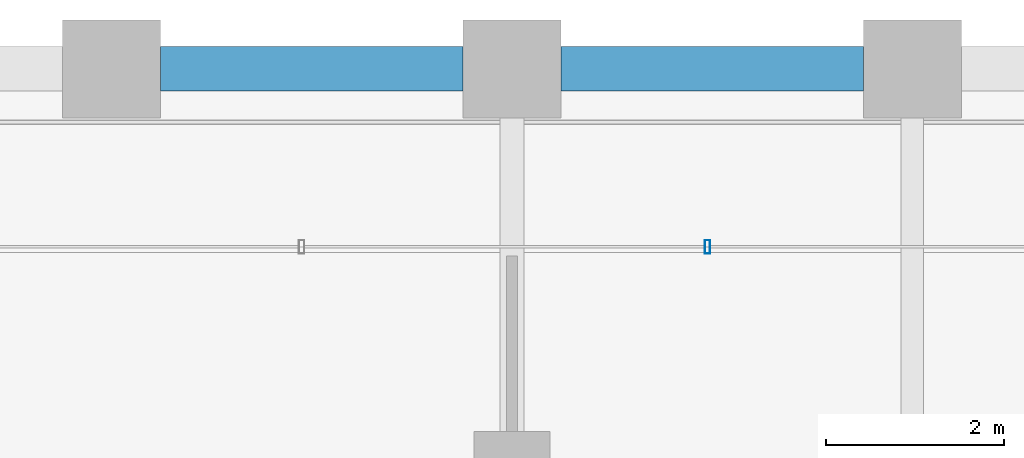
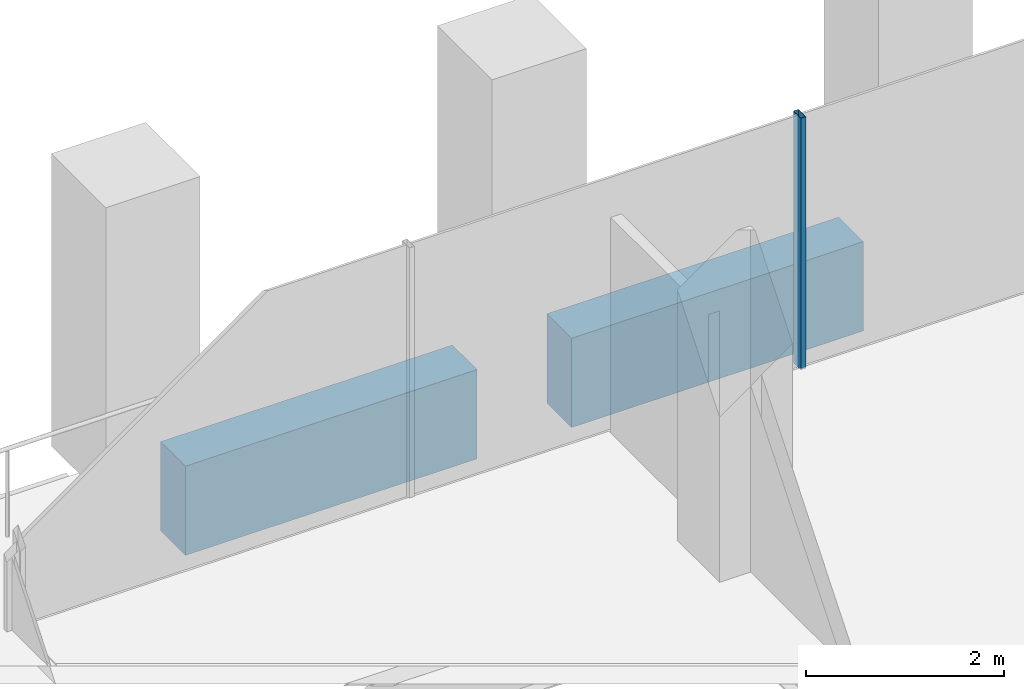
# One storey, part 27 of 54: 2 beams, 1 member, 1 element without a shape of its own.
"""IFC4 building model written with IfcOpenShell, lengths in metres."""

from ifc_helpers import new_model, si_unit, direction, frame, origin, origin_2d, place, context, subcontext, project, spatial, rectangle, hollow_rectangle, extrude, material, material_profile, profile_set, type_object, element, aggregate, save


model = new_model("IFC4")

# Units and contexts
model_context = context("Model", 3, precision=1e-05, world=origin(), true_north=direction((0.0, 1.0)))
body_context = subcontext(model_context, "Body", "Model", "MODEL_VIEW")
ifc_project = project(units=[si_unit("LENGTHUNIT", "METRE"), si_unit("AREAUNIT", "SQUARE_METRE"), si_unit("VOLUMEUNIT", "CUBIC_METRE"), si_unit("PLANEANGLEUNIT", "RADIAN"), si_unit("MASSUNIT", "GRAM", prefix="KILO")], contexts=[model_context])

# Site, building, storey
site_placement = place(None, origin())
site = spatial("IfcSite", under=ifc_project, at=site_placement, CompositionType="ELEMENT")
building_placement = place(site_placement, origin())
building = spatial("IfcBuilding", under=site, at=building_placement, Name="Altepetl Exchange Towers", CompositionType="ELEMENT")
storey_placement = place(building_placement, frame((0.0, 0.0, 65.39990234375)))
storey = spatial("IfcBuildingStorey", under=building, at=storey_placement, Name="L15", CompositionType="ELEMENT", Elevation=65.39990234375)

# Curtain wall, member
ifc_material_1 = material(Name="Aluminium 6063-T6 glazing", Category="aluminium")
curtain_wall_type = type_object("IfcCurtainWallType", Name="Loggia glazing system", PredefinedType="NOTDEFINED", material=ifc_material_1)
curtain_wall_placement = place(storey_placement, origin())
curtain_wall = element("IfcCurtainWall", 1, at=curtain_wall_placement, inside=storey, type_object=curtain_wall_type, Name="CW1 run", PredefinedType="NOTDEFINED")
ifc_material_2 = material(Name="Aluminium 6063-T6", Category="aluminium")
ifc_material_profile_1 = material_profile(ifc_material_2, hollow_rectangle(XDim=0.06005859375, YDim=0.14990234375, WallThickness=0.0029296875, at=origin_2d()), Name="Mullion 60x150 aluminium")
ifc_profile_set_1 = profile_set([ifc_material_profile_1], Name="Aluminium 6063-T6")
member_type = type_object("IfcMemberType", Name="Mullion 60x150 aluminium", PredefinedType="MULLION", material=ifc_profile_set_1)
member_placement = place(storey_placement, frame((42.696533203125, 70.0, 0.0), z_axis=(0.0, 0.0, 1.0), x_axis=(-1.0, 0.0, 0.0)))
member = element("IfcMember", 2, at=member_placement, type_object=member_type, Name="MU1 mullion", PredefinedType="MULLION", context=body_context, shape_type="SweptSolid", body=[
    extrude(hollow_rectangle(XDim=0.06005859375, YDim=0.14990234375, WallThickness=0.0029296875, at=origin_2d()), origin(), (0.0, 0.0, 1.0), 3.10009765625),
])
aggregate(curtain_wall, [member])

# Beams
ifc_material_3 = material(Name="Concrete C50/60 precast with cantera rosa facing", Category="concrete")
ifc_material_profile_2 = material_profile(ifc_material_3, rectangle(XDim=0.5, YDim=1.10009765625, at=origin_2d()), Name="500 x 1100")
ifc_profile_set_2 = profile_set([ifc_material_profile_2], Name="Concrete C50/60 precast with cantera rosa facing")
beam_type_1 = type_object("IfcBeamType", Name="Spandrel beam 500x1100 cantera rosa", PredefinedType="SPANDREL", material=ifc_profile_set_2)
beam_1_placement = place(storey_placement, frame((44.449951171875, 72.0, -0.699951171875), z_axis=(-1.0, 0.0, 0.0), x_axis=(0.0, -1.0, 0.0)))
element("IfcBeam", 3, at=beam_1_placement, inside=storey, type_object=beam_type_1, Name="sp:A:L15:029", PredefinedType="SPANDREL", context=body_context, shape_type="SweptSolid", body=[
    extrude(rectangle(XDim=0.5, YDim=1.10009765625, at=origin_2d()), origin(), (0.0, 0.0, 1.0), 3.39990234375),
])
ifc_material_4 = material(Name="Concrete C50/60 precast with tezontle facing", Category="concrete")
ifc_material_profile_3 = material_profile(ifc_material_4, rectangle(XDim=0.5, YDim=1.10009765625, at=origin_2d()), Name="500 x 1100")
ifc_profile_set_3 = profile_set([ifc_material_profile_3], Name="Concrete C50/60 precast with tezontle facing")
beam_type_2 = type_object("IfcBeamType", Name="Spandrel beam 500x1100 tezontle", PredefinedType="SPANDREL", material=ifc_profile_set_3)
beam_2_placement = place(storey_placement, frame((39.949951171875, 72.0, -0.699951171875), z_axis=(-1.0, 0.0, 0.0), x_axis=(0.0, -1.0, 0.0)))
element("IfcBeam", 4, at=beam_2_placement, inside=storey, type_object=beam_type_2, Name="sp:A:L15:030", PredefinedType="SPANDREL", context=body_context, shape_type="SweptSolid", body=[
    extrude(rectangle(XDim=0.5, YDim=1.10009765625, at=origin_2d()), origin(), (0.0, 0.0, 1.0), 3.39990234375),
])

save(model, "model.ifc")
